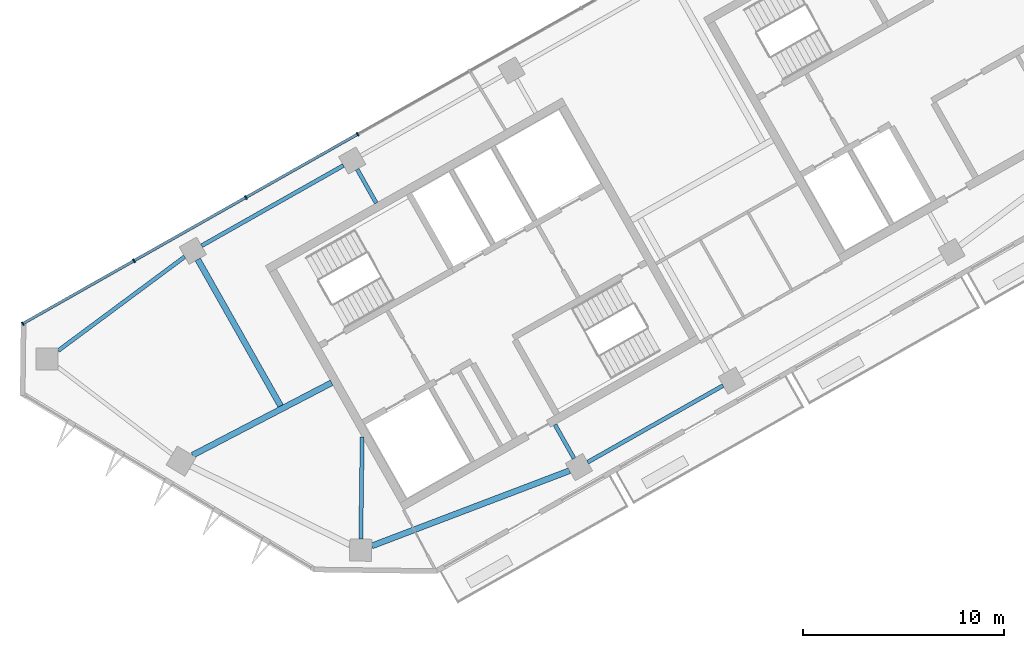
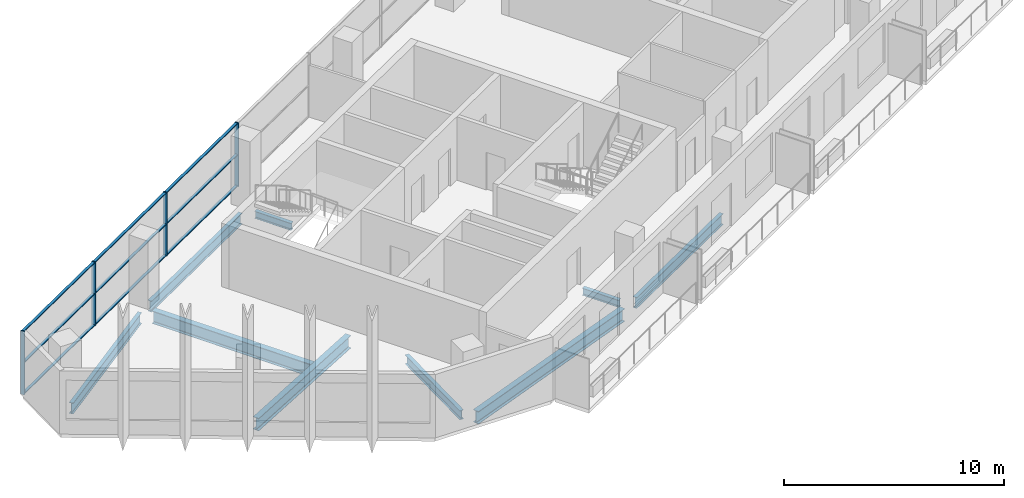
# One storey, part 2 of 10: 13 members, 9 beams, 1 element without a shape of its own.
"""IFC4 building model written with IfcOpenShell, lengths in metres."""

from ifc_helpers import new_model, si_unit, direction, frame, origin, origin_2d, place, context, subcontext, project, spatial, rectangle, i_section, extrude, material, material_profile, profile_set, type_object, element, aggregate, save


model = new_model("IFC4")

# Units and contexts
model_context = context("Model", 3, precision=1e-05, world=origin(), true_north=direction((0.0, 1.0)))
body_context = subcontext(model_context, "Body", "Model", "MODEL_VIEW")
ifc_project = project(units=[si_unit("LENGTHUNIT", "METRE"), si_unit("AREAUNIT", "SQUARE_METRE"), si_unit("VOLUMEUNIT", "CUBIC_METRE"), si_unit("PLANEANGLEUNIT", "RADIAN"), si_unit("MASSUNIT", "GRAM", prefix="KILO")], contexts=[model_context])

# Site, building, storey
site_placement = place(None, origin())
site = spatial("IfcSite", under=ifc_project, at=site_placement, CompositionType="ELEMENT")
building_placement = place(site_placement, origin())
building = spatial("IfcBuilding", under=site, at=building_placement, Name="Binnacle Exchange Tower", CompositionType="ELEMENT")
storey_placement = place(building_placement, frame((0.0, 0.0, 331.699951171875)))
storey = spatial("IfcBuildingStorey", under=building, at=storey_placement, Name="L75", CompositionType="ELEMENT", Elevation=331.699951171875)

# Curtain wall, members
ifc_material_1 = material(Name="Bronze anodised aluminium frame", Category="aluminium")
curtain_wall_type = type_object("IfcCurtainWallType", Name="External wall - curtain wall executive floors", PredefinedType="NOTDEFINED", material=ifc_material_1)
curtain_wall_placement = place(storey_placement, origin())
curtain_wall = element("IfcCurtainWall", 1, at=curtain_wall_placement, inside=storey, type_object=curtain_wall_type, Name="External wall curtain wall CW4-H03 L75", PredefinedType="NOTDEFINED")
ifc_material_profile_1 = material_profile(ifc_material_1, rectangle(XDim=0.199951171875, YDim=0.070068359375, at=origin_2d()), Name="AL 70x200")
ifc_profile_set_1 = profile_set([ifc_material_profile_1], Name="Bronze anodised aluminium frame")
member_type_1 = type_object("IfcMemberType", Name="CW4 MULLION 70x200", PredefinedType="MULLION", material=ifc_profile_set_1)
member_1_placement = place(storey_placement, frame((-42.0078125, 48.233154296875, 0.0), z_axis=(0.0, 0.0, 1.0), x_axis=(0.492423763019, -0.870355581136, 0.0)))
member_1 = element("IfcMember", 2, at=member_1_placement, type_object=member_type_1, Name="CW4-H03 mullion 8", PredefinedType="MULLION", context=body_context, shape_type="SweptSolid", body=[
    extrude(rectangle(XDim=0.199951171875, YDim=0.070068359375, at=origin_2d()), origin(), (0.0, 0.0, 1.0), 3.52001953125),
])
member_2_placement = place(storey_placement, frame((-47.58251953125, 45.0791015625, 0.0), z_axis=(0.0, 0.0, 1.0), x_axis=(0.492423763019, -0.870355581136, 0.0)))
member_2 = element("IfcMember", 3, at=member_2_placement, type_object=member_type_1, Name="CW4-H03 mullion 9", PredefinedType="MULLION", context=body_context, shape_type="SweptSolid", body=[
    extrude(rectangle(XDim=0.199951171875, YDim=0.070068359375, at=origin_2d()), origin(), (0.0, 0.0, 1.0), 3.52001953125),
])
member_3_placement = place(storey_placement, frame((-53.157470703125, 41.9248046875, 0.0), z_axis=(0.0, 0.0, 1.0), x_axis=(0.492423763019, -0.870355581136, 0.0)))
member_3 = element("IfcMember", 4, at=member_3_placement, type_object=member_type_1, Name="CW4-H03 mullion 10", PredefinedType="MULLION", context=body_context, shape_type="SweptSolid", body=[
    extrude(rectangle(XDim=0.199951171875, YDim=0.070068359375, at=origin_2d()), origin(), (0.0, 0.0, 1.0), 3.52001953125),
])
member_4_placement = place(storey_placement, frame((-58.701904296875, 38.7880859375, 0.0), z_axis=(0.0, 0.0, 1.0), x_axis=(0.492423763019, -0.870355581136, 0.0)))
member_4 = element("IfcMember", 5, at=member_4_placement, type_object=member_type_1, Name="CW4-H03 mullion 11", PredefinedType="MULLION", context=body_context, shape_type="SweptSolid", body=[
    extrude(rectangle(XDim=0.199951171875, YDim=0.070068359375, at=origin_2d()), origin(), (0.0, 0.0, 1.0), 3.52001953125),
])
ifc_material_profile_2 = material_profile(ifc_material_1, rectangle(XDim=0.139892578125, YDim=0.050048828125, at=origin_2d()), Name="AL 140x50")
ifc_profile_set_2 = profile_set([ifc_material_profile_2], Name="Bronze anodised aluminium frame")
member_type_2 = type_object("IfcMemberType", Name="CW4 TRANSOM 50x140", PredefinedType="USERDEFINED", material=ifc_profile_set_2)
member_5_placement = place(storey_placement, frame((-42.0380859375, 48.2158203125, 0.025146484375), z_axis=(-0.870355335808, -0.492424196633, 0.0), x_axis=(0.492424196633, -0.870355335808, 0.0)))
member_5 = element("IfcMember", 6, at=member_5_placement, type_object=member_type_2, Name="CW4-H03 transom 8.1", ObjectType="TRANSOM", PredefinedType="USERDEFINED", context=body_context, shape_type="SweptSolid", body=[
    extrude(rectangle(XDim=0.139892578125, YDim=0.050048828125, at=origin_2d()), origin(), (0.0, 0.0, 1.0), 6.335205078125),
])
member_6_placement = place(storey_placement, frame((-42.0380859375, 48.2158203125, 1.760009765625), z_axis=(-0.870355335808, -0.492424196633, 0.0), x_axis=(0.492424196633, -0.870355335808, 0.0)))
member_6 = element("IfcMember", 7, at=member_6_placement, type_object=member_type_2, Name="CW4-H03 transom 8.2", ObjectType="TRANSOM", PredefinedType="USERDEFINED", context=body_context, shape_type="SweptSolid", body=[
    extrude(rectangle(XDim=0.139892578125, YDim=0.050048828125, at=origin_2d()), origin(), (0.0, 0.0, 1.0), 6.335205078125),
])
member_7_placement = place(storey_placement, frame((-42.0380859375, 48.2158203125, 3.4951171875), z_axis=(-0.870355335808, -0.492424196633, 0.0), x_axis=(0.492424196633, -0.870355335808, 0.0)))
member_7 = element("IfcMember", 8, at=member_7_placement, type_object=member_type_2, Name="CW4-H03 transom 8.3", ObjectType="TRANSOM", PredefinedType="USERDEFINED", context=body_context, shape_type="SweptSolid", body=[
    extrude(rectangle(XDim=0.139892578125, YDim=0.050048828125, at=origin_2d()), origin(), (0.0, 0.0, 1.0), 6.335205078125),
])
member_8_placement = place(storey_placement, frame((-47.613037109375, 45.061767578125, 0.025146484375), z_axis=(-0.870355335808, -0.492424196633, 0.0), x_axis=(0.492424196633, -0.870355335808, 0.0)))
member_8 = element("IfcMember", 9, at=member_8_placement, type_object=member_type_2, Name="CW4-H03 transom 9.1", ObjectType="TRANSOM", PredefinedType="USERDEFINED", context=body_context, shape_type="SweptSolid", body=[
    extrude(rectangle(XDim=0.139892578125, YDim=0.050048828125, at=origin_2d()), origin(), (0.0, 0.0, 1.0), 6.335205078125),
])
member_9_placement = place(storey_placement, frame((-47.613037109375, 45.061767578125, 1.760009765625), z_axis=(-0.870355335808, -0.492424196633, 0.0), x_axis=(0.492424196633, -0.870355335808, 0.0)))
member_9 = element("IfcMember", 10, at=member_9_placement, type_object=member_type_2, Name="CW4-H03 transom 9.2", ObjectType="TRANSOM", PredefinedType="USERDEFINED", context=body_context, shape_type="SweptSolid", body=[
    extrude(rectangle(XDim=0.139892578125, YDim=0.050048828125, at=origin_2d()), origin(), (0.0, 0.0, 1.0), 6.335205078125),
])
member_10_placement = place(storey_placement, frame((-47.613037109375, 45.061767578125, 3.4951171875), z_axis=(-0.870355335808, -0.492424196633, 0.0), x_axis=(0.492424196633, -0.870355335808, 0.0)))
member_10 = element("IfcMember", 11, at=member_10_placement, type_object=member_type_2, Name="CW4-H03 transom 9.3", ObjectType="TRANSOM", PredefinedType="USERDEFINED", context=body_context, shape_type="SweptSolid", body=[
    extrude(rectangle(XDim=0.139892578125, YDim=0.050048828125, at=origin_2d()), origin(), (0.0, 0.0, 1.0), 6.335205078125),
])
member_11_placement = place(storey_placement, frame((-53.18798828125, 41.90771484375, 0.025146484375), z_axis=(-0.870343349272, -0.492445382126, 0.0), x_axis=(0.492445382126, -0.870343349272, 0.0)))
member_11 = element("IfcMember", 12, at=member_11_placement, type_object=member_type_2, Name="CW4-H03 transom 10.1", ObjectType="TRANSOM", PredefinedType="USERDEFINED", context=body_context, shape_type="SweptSolid", body=[
    extrude(rectangle(XDim=0.139892578125, YDim=0.050048828125, at=origin_2d()), origin(), (0.0, 0.0, 1.0), 6.30029296875),
])
member_12_placement = place(storey_placement, frame((-53.18798828125, 41.90771484375, 1.760009765625), z_axis=(-0.870343349272, -0.492445382126, 0.0), x_axis=(0.492445382126, -0.870343349272, 0.0)))
member_12 = element("IfcMember", 13, at=member_12_placement, type_object=member_type_2, Name="CW4-H03 transom 10.2", ObjectType="TRANSOM", PredefinedType="USERDEFINED", context=body_context, shape_type="SweptSolid", body=[
    extrude(rectangle(XDim=0.139892578125, YDim=0.050048828125, at=origin_2d()), origin(), (0.0, 0.0, 1.0), 6.30029296875),
])
member_13_placement = place(storey_placement, frame((-53.18798828125, 41.90771484375, 3.4951171875), z_axis=(-0.870343349272, -0.492445382126, 0.0), x_axis=(0.492445382126, -0.870343349272, 0.0)))
member_13 = element("IfcMember", 14, at=member_13_placement, type_object=member_type_2, Name="CW4-H03 transom 10.3", ObjectType="TRANSOM", PredefinedType="USERDEFINED", context=body_context, shape_type="SweptSolid", body=[
    extrude(rectangle(XDim=0.139892578125, YDim=0.050048828125, at=origin_2d()), origin(), (0.0, 0.0, 1.0), 6.30029296875),
])
aggregate(curtain_wall, [member_1, member_2, member_3, member_4, member_5, member_6, member_7, member_8, member_9, member_10, member_11, member_12, member_13])

# Beams
ifc_material_2 = material(Name="Steel S355 (SHN355)", Category="steel")
ifc_material_profile_3 = material_profile(ifc_material_2, i_section(OverallWidth=0.200927734375, OverallDepth=0.60595703125, WebThickness=0.011962890625, FlangeThickness=0.02001953125, FilletRadius=0.02197265625, at=origin_2d()), Name="H 606x201x12x20")
ifc_profile_set_3 = profile_set([ifc_material_profile_3], Name="Steel S355 (SHN355)")
beam_type_1 = type_object("IfcBeamType", Name="Edge girder H 606x201x12x20 Steel S355 (SHN355)", PredefinedType="SPANDREL", material=ifc_profile_set_3)
beam_1_placement = place(storey_placement, frame((-50.630615234375, 42.12255859375, -0.5830078125), z_axis=(-0.802881126557, -0.596139158769, 0.0), x_axis=(0.596139158769, -0.802881126557, 0.0)))
element("IfcBeam", 15, at=beam_1_placement, inside=storey, type_object=beam_type_1, Name="S:BM:edge:L75:005", PredefinedType="SPANDREL", context=body_context, shape_type="SweptSolid", body=[
    extrude(i_section(OverallWidth=0.200927734375, OverallDepth=0.60595703125, WebThickness=0.011962890625, FlangeThickness=0.02001953125, FilletRadius=0.02197265625, at=origin_2d()), origin(), (0.0, 0.0, 1.0), 7.855224609375),
])
beam_2_placement = place(storey_placement, frame((-30.540283203125, 31.881591796875, -0.5830078125), z_axis=(0.870358700717, 0.49241824914, 0.0), x_axis=(-0.49241824914, 0.870358700717, 0.0)))
element("IfcBeam", 16, at=beam_2_placement, inside=storey, type_object=beam_type_1, Name="S:BM:edge:L75:010", PredefinedType="SPANDREL", context=body_context, shape_type="SweptSolid", body=[
    extrude(i_section(OverallWidth=0.200927734375, OverallDepth=0.60595703125, WebThickness=0.011962890625, FlangeThickness=0.02001953125, FilletRadius=0.02197265625, at=origin_2d()), origin(), (0.0, 0.0, 1.0), 7.75439453125),
])
ifc_material_profile_4 = material_profile(ifc_material_2, i_section(OverallWidth=0.201904296875, OverallDepth=0.612060546875, WebThickness=0.012939453125, FlangeThickness=0.02294921875, FilletRadius=0.02197265625, at=origin_2d()), Name="H 612x202x13x23")
ifc_profile_set_4 = profile_set([ifc_material_profile_4], Name="Steel S355 (SHN355)")
beam_type_2 = type_object("IfcBeamType", Name="Edge girder H 612x202x13x23 Steel S355 (SHN355)", PredefinedType="SPANDREL", material=ifc_profile_set_4)
beam_3_placement = place(storey_placement, frame((-42.715087890625, 46.672607421875, -0.5859375), z_axis=(-0.870353024448, -0.49242828192, 0.0), x_axis=(0.49242828192, -0.870353024448, 0.0)))
element("IfcBeam", 17, at=beam_3_placement, inside=storey, type_object=beam_type_2, Name="S:BM:edge:L75:007", PredefinedType="SPANDREL", context=body_context, shape_type="SweptSolid", body=[
    extrude(i_section(OverallWidth=0.201904296875, OverallDepth=0.612060546875, WebThickness=0.012939453125, FlangeThickness=0.02294921875, FilletRadius=0.02197265625, at=origin_2d()), origin(), (0.0, 0.0, 1.0), 8.1298828125),
])
ifc_material_profile_5 = material_profile(ifc_material_2, i_section(OverallWidth=0.300048828125, OverallDepth=0.699951171875, WebThickness=0.012939453125, FlangeThickness=0.02392578125, FilletRadius=0.028076171875, at=origin_2d()), Name="H 700x300x13x24")
ifc_profile_set_5 = profile_set([ifc_material_profile_5], Name="Steel S355 (SHN355)")
beam_type_3 = type_object("IfcBeamType", Name="Edge girder H 700x300x13x24 Steel S355 (SHN355)", PredefinedType="SPANDREL", material=ifc_profile_set_5)
beam_4_placement = place(storey_placement, frame((-41.304931640625, 27.705078125, -0.6298828125), z_axis=(0.934635447744, 0.35560733938, 0.0), x_axis=(-0.35560733938, 0.934635447744, 0.0)))
element("IfcBeam", 18, at=beam_4_placement, inside=storey, type_object=beam_type_3, Name="S:BM:edge:L75:008", PredefinedType="SPANDREL", context=body_context, shape_type="SweptSolid", body=[
    extrude(i_section(OverallWidth=0.300048828125, OverallDepth=0.699951171875, WebThickness=0.012939453125, FlangeThickness=0.02392578125, FilletRadius=0.028076171875, at=origin_2d()), origin(), (0.0, 0.0, 1.0), 10.546142578125),
])
ifc_material_profile_6 = material_profile(ifc_material_2, i_section(OverallWidth=0.199951171875, OverallDepth=0.39990234375, WebThickness=0.008056640625, FlangeThickness=0.012939453125, FilletRadius=0.01611328125, at=origin_2d()), Name="H 400x200x8x13")
ifc_profile_set_6 = profile_set([ifc_material_profile_6], Name="Steel S355 (SHN355)")
beam_type_4 = type_object("IfcBeamType", Name="Floor beam H 400x200x8x13 Steel S355 (SHN355)", PredefinedType="BEAM", material=ifc_profile_set_6)
beam_5_placement = place(storey_placement, frame((-42.03369140625, 46.4833984375, -0.47998046875), z_axis=(0.492423244016, -0.870355874773, 0.0), x_axis=(0.870355874773, 0.492423244016, 0.0)))
element("IfcBeam", 19, at=beam_5_placement, inside=storey, type_object=beam_type_4, Name="S:BM:cross:L75:020", PredefinedType="BEAM", context=body_context, shape_type="SweptSolid", body=[
    extrude(i_section(OverallWidth=0.199951171875, OverallDepth=0.39990234375, WebThickness=0.008056640625, FlangeThickness=0.012939453125, FilletRadius=0.01611328125, at=origin_2d()), origin(), (0.0, 0.0, 1.0), 1.93408203125),
])
beam_6_placement = place(storey_placement, frame((-31.2216796875, 32.070556640625, -0.47998046875), z_axis=(-0.492518856771, 0.870301772792, 0.0), x_axis=(-0.870301772792, -0.492518856771, 0.0)))
element("IfcBeam", 20, at=beam_6_placement, inside=storey, type_object=beam_type_4, Name="S:BM:cross:L75:023", PredefinedType="BEAM", context=body_context, shape_type="SweptSolid", body=[
    extrude(i_section(OverallWidth=0.199951171875, OverallDepth=0.39990234375, WebThickness=0.008056640625, FlangeThickness=0.012939453125, FilletRadius=0.01611328125, at=origin_2d()), origin(), (0.0, 0.0, 1.0), 1.934326171875),
])
ifc_material_profile_7 = material_profile(ifc_material_2, i_section(OverallWidth=0.200927734375, OverallDepth=0.506103515625, WebThickness=0.010986328125, FlangeThickness=0.01904296875, FilletRadius=0.02001953125, at=origin_2d()), Name="H 506x201x11x19")
ifc_profile_set_7 = profile_set([ifc_material_profile_7], Name="Steel S355 (SHN355)")
beam_type_5 = type_object("IfcBeamType", Name="Floor beam H 506x201x11x19 Steel S355 (SHN355)", PredefinedType="BEAM", material=ifc_profile_set_7)
beam_7_placement = place(storey_placement, frame((-41.8505859375, 28.044921875, -0.532958984375), z_axis=(0.013115195493, 0.999913992125, 0.0), x_axis=(-0.999913992125, 0.013115195493, 0.0)))
element("IfcBeam", 21, at=beam_7_placement, inside=storey, type_object=beam_type_5, Name="S:BM:cross:L75:021", PredefinedType="BEAM", context=body_context, shape_type="SweptSolid", body=[
    extrude(i_section(OverallWidth=0.200927734375, OverallDepth=0.506103515625, WebThickness=0.010986328125, FlangeThickness=0.01904296875, FilletRadius=0.02001953125, at=origin_2d()), origin(), (0.0, 0.0, 1.0), 5.1005859375),
])
ifc_material_profile_8 = material_profile(ifc_material_2, i_section(OverallWidth=0.300048828125, OverallDepth=0.699951171875, WebThickness=0.012939453125, FlangeThickness=0.02392578125, FilletRadius=0.028076171875, at=origin_2d()), Name="H 700x300x13x24")
ifc_profile_set_8 = profile_set([ifc_material_profile_8], Name="Steel S355 (SHN355)")
beam_type_6 = type_object("IfcBeamType", Name="Floor beam H 700x300x13x24 Steel S355 (SHN355)", PredefinedType="BEAM", material=ifc_profile_set_8)
beam_8_placement = place(storey_placement, frame((-49.97998046875, 41.98779296875, -0.6298828125), z_axis=(0.492421517933, -0.870356851341, 0.0), x_axis=(0.870356851341, 0.492421517933, 0.0)))
element("IfcBeam", 22, at=beam_8_placement, inside=storey, type_object=beam_type_6, Name="S:BM:cross:L75:019", PredefinedType="BEAM", context=body_context, shape_type="SweptSolid", body=[
    extrude(i_section(OverallWidth=0.300048828125, OverallDepth=0.699951171875, WebThickness=0.012939453125, FlangeThickness=0.02392578125, FilletRadius=0.028076171875, at=origin_2d()), origin(), (0.0, 0.0, 1.0), 8.391357421875),
])
ifc_material_profile_9 = material_profile(ifc_material_2, i_section(OverallWidth=0.300048828125, OverallDepth=0.699951171875, WebThickness=0.012939453125, FlangeThickness=0.02392578125, FilletRadius=0.028076171875, at=origin_2d()), Name="H 700x300x13x24")
ifc_profile_set_9 = profile_set([ifc_material_profile_9], Name="Steel S355 (SHN355)")
beam_type_7 = type_object("IfcBeamType", Name="Spine girder H 700x300x13x24 Steel S355 (SHN355)", PredefinedType="BEAM", material=ifc_profile_set_9)
beam_9_placement = place(storey_placement, frame((-50.239990234375, 32.228759765625, -0.6298828125), z_axis=(0.886978864001, 0.461810020264, 0.0), x_axis=(-0.461810020264, 0.886978864001, 0.0)))
element("IfcBeam", 23, at=beam_9_placement, inside=storey, type_object=beam_type_7, Name="S:BM:spine:L75:001", PredefinedType="BEAM", context=body_context, shape_type="SweptSolid", body=[
    extrude(i_section(OverallWidth=0.300048828125, OverallDepth=0.699951171875, WebThickness=0.012939453125, FlangeThickness=0.02392578125, FilletRadius=0.028076171875, at=origin_2d()), origin(), (0.0, 0.0, 1.0), 7.815673828125),
])

save(model, "model.ifc")
